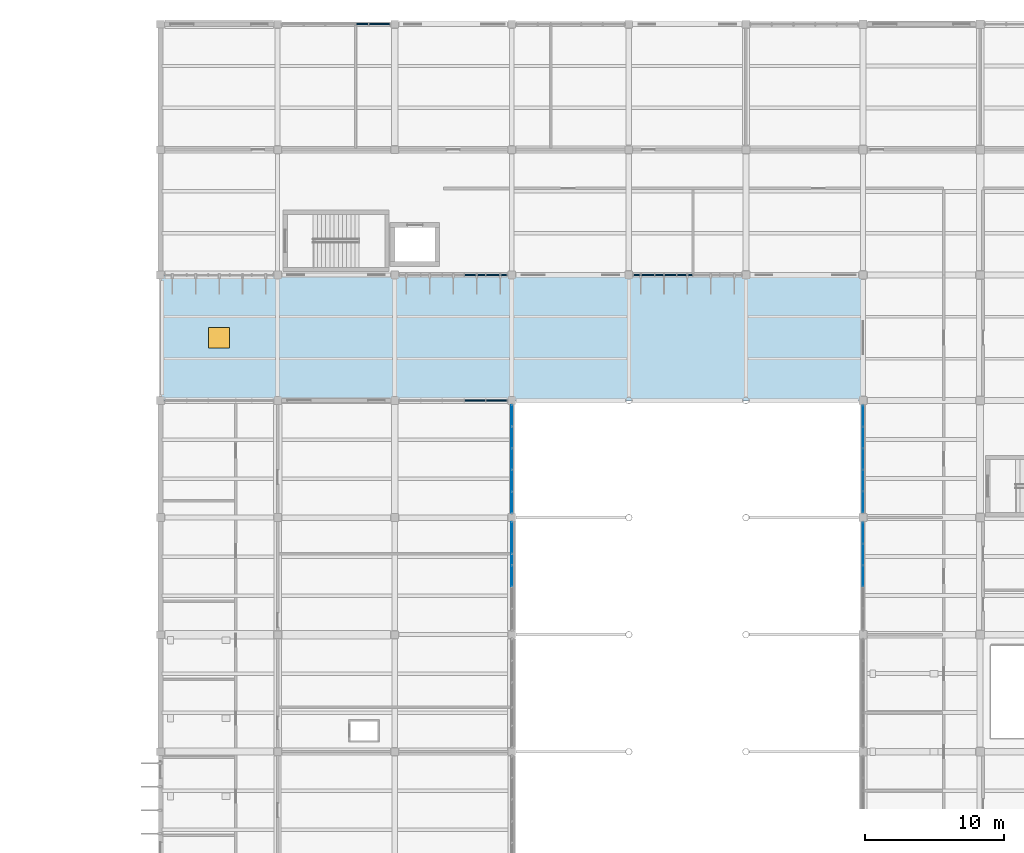
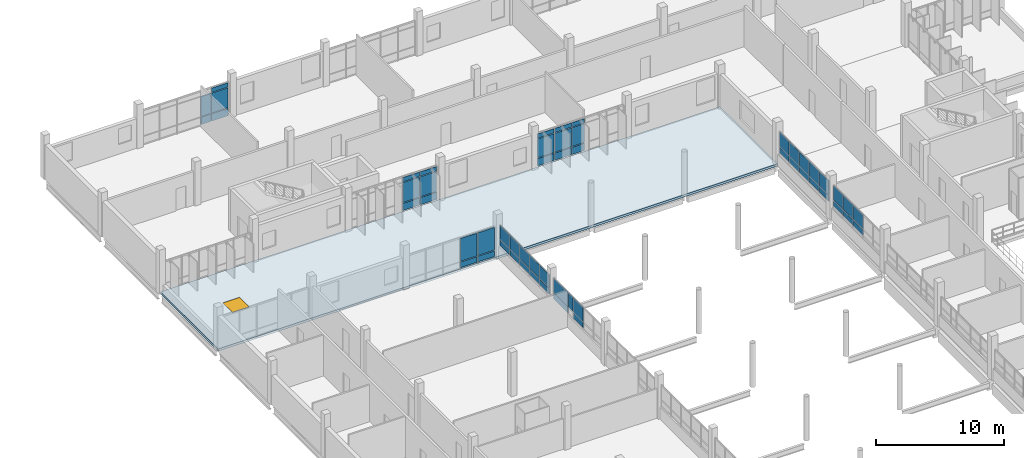
# One storey, part 100 of 130: 55 plates, 1 slab, 1 window, 1 opening, 8 elements without a shape of their own.
"""IFC4 building model written with IfcOpenShell, lengths in metres."""

from ifc_helpers import new_model, si_unit, direction, frame, origin, origin_2d, place, context, subcontext, project, spatial, polyline, rectangle, outline, extrude, material, layer, layer_set, type_object, element, fill, aggregate, save


model = new_model("IFC4")

# Units and contexts
model_context = context("Model", 3, precision=1e-05, world=origin(), true_north=direction((0.0, 1.0)))
body_context = subcontext(model_context, "Body", "Model", "MODEL_VIEW")
ifc_project = project(units=[si_unit("LENGTHUNIT", "METRE"), si_unit("AREAUNIT", "SQUARE_METRE"), si_unit("VOLUMEUNIT", "CUBIC_METRE"), si_unit("PLANEANGLEUNIT", "RADIAN"), si_unit("MASSUNIT", "GRAM", prefix="KILO")], contexts=[model_context])

# Site, building, storey
site_placement = place(None, origin())
site = spatial("IfcSite", under=ifc_project, at=site_placement, CompositionType="ELEMENT")
building_placement = place(site_placement, origin())
building = spatial("IfcBuilding", under=site, at=building_placement, Name="Vireocrest Preparatory School", CompositionType="ELEMENT")
storey_placement = place(building_placement, frame((0.0, 0.0, 9.0)))
storey = spatial("IfcBuildingStorey", under=building, at=storey_placement, Name="L02", CompositionType="ELEMENT", Elevation=9.0)

# Curtain wall, plates
ifc_material_1 = material(Name="Thermally broken aluminium EN AW-6063-T6", Category="aluminium")
ifc_layer_1 = layer(ifc_material_1, 0.179931640625)
ifc_layer_set_1 = layer_set([ifc_layer_1], Name="Thermally broken aluminium EN AW-6063-T6")
curtain_wall_type_1 = type_object("IfcCurtainWallType", Name="North Street Curtain Wall 8400x4000", PredefinedType="USERDEFINED", material=ifc_layer_set_1)
curtain_wall_1_placement = place(storey_placement, origin())
curtain_wall_1 = element("IfcCurtainWall", 1, at=curtain_wall_1_placement, inside=storey, type_object=curtain_wall_type_1, Name="Curtain Wall CW05 CW_L02_CW05_0506_1128_090", ObjectType="CURTAIN WALL", PredefinedType="USERDEFINED")
ifc_material_2 = material(Name="Insulated triple low-e tempered safety glass", Category="glass")
ifc_layer_2 = layer(ifc_material_2, 0.074951171875)
ifc_layer_set_2 = layer_set([ifc_layer_2], Name="Insulated triple low-e tempered safety glass")
plate_type_1 = type_object("IfcPlateType", Name="Acoustic Triple-Glazed Lab Curtain Panel 75", PredefinedType="CURTAIN_PANEL", material=ifc_layer_set_2)
plate_1_placement = place(storey_placement, frame((56.467041015625, 112.800048828125, 0.882568359375), z_axis=(0.0, 0.0, 1.0), x_axis=(1.0, 0.0, 0.0)))
plate_1 = element("IfcPlate", 2, at=plate_1_placement, type_object=plate_type_1, Name="CW Panel GL2 CW_L02_CW05_0506_1128_090-4-2", PredefinedType="CURTAIN_PANEL", context=body_context, shape_type="SweptSolid", body=[
    extrude(rectangle(XDim=0.868896484375, YDim=0.074951171875, at=origin_2d()), origin(), (0.0, 0.0, 1.0), 1.89501953125),
])
plate_2_placement = place(storey_placement, frame((57.7119140625, 112.800048828125, 0.882568359375), z_axis=(0.0, 0.0, 1.0), x_axis=(1.0, 0.0, 0.0)))
plate_2 = element("IfcPlate", 3, at=plate_2_placement, type_object=plate_type_1, Name="CW Panel GL2 CW_L02_CW05_0506_1128_090-5-2", PredefinedType="CURTAIN_PANEL", context=body_context, shape_type="SweptSolid", body=[
    extrude(rectangle(XDim=1.490966796875, YDim=0.074951171875, at=origin_2d()), origin(), (0.0, 0.0, 1.0), 1.89501953125),
])
plate_3_placement = place(storey_placement, frame((57.7119140625, 112.800048828125, 2.8427734375), z_axis=(0.0, 0.0, 1.0), x_axis=(1.0, 0.0, 0.0)))
plate_3 = element("IfcPlate", 4, at=plate_3_placement, type_object=plate_type_1, Name="CW Panel GL2 CW_L02_CW05_0506_1128_090-5-3", PredefinedType="CURTAIN_PANEL", context=body_context, shape_type="SweptSolid", body=[
    extrude(rectangle(XDim=1.490966796875, YDim=0.074951171875, at=origin_2d()), origin(), (0.0, 0.0, 1.0), 0.409912109375),
])

curtain_wall_2_placement = place(storey_placement, origin())
curtain_wall_2 = element("IfcCurtainWall", 5, at=curtain_wall_2_placement, inside=storey, type_object=curtain_wall_type_1, Name="Curtain Wall CW05 CW_L02_CW05_0590_0948_090", ObjectType="CURTAIN WALL", PredefinedType="USERDEFINED")
plate_4_placement = place(storey_placement, frame((64.555908203125, 94.800048828125, 0.882568359375), z_axis=(0.0, 0.0, 1.0), x_axis=(1.0, 0.0, 0.0)))
plate_4 = element("IfcPlate", 6, at=plate_4_placement, type_object=plate_type_1, Name="CW Panel GL2 CW_L02_CW05_0590_0948_090-4-2", PredefinedType="CURTAIN_PANEL", context=body_context, shape_type="SweptSolid", body=[
    extrude(rectangle(XDim=1.490966796875, YDim=0.074951171875, at=origin_2d()), origin(), (0.0, 0.0, 1.0), 1.89501953125),
])
plate_5_placement = place(storey_placement, frame((64.555908203125, 94.800048828125, 2.8427734375), z_axis=(0.0, 0.0, 1.0), x_axis=(1.0, 0.0, 0.0)))
plate_5 = element("IfcPlate", 7, at=plate_5_placement, type_object=plate_type_1, Name="CW Panel GL2 CW_L02_CW05_0590_0948_090-4-3", PredefinedType="CURTAIN_PANEL", context=body_context, shape_type="SweptSolid", body=[
    extrude(rectangle(XDim=1.490966796875, YDim=0.074951171875, at=origin_2d()), origin(), (0.0, 0.0, 1.0), 0.409912109375),
])
plate_6_placement = place(storey_placement, frame((66.112060546875, 94.800048828125, 0.882568359375), z_axis=(0.0, 0.0, 1.0), x_axis=(1.0, 0.0, 0.0)))
plate_6 = element("IfcPlate", 8, at=plate_6_placement, type_object=plate_type_1, Name="CW Panel GL2 CW_L02_CW05_0590_0948_090-5-2", PredefinedType="CURTAIN_PANEL", context=body_context, shape_type="SweptSolid", body=[
    extrude(rectangle(XDim=1.490966796875, YDim=0.074951171875, at=origin_2d()), origin(), (0.0, 0.0, 1.0), 1.89501953125),
])
plate_7_placement = place(storey_placement, frame((66.112060546875, 94.800048828125, 2.8427734375), z_axis=(0.0, 0.0, 1.0), x_axis=(1.0, 0.0, 0.0)))
plate_7 = element("IfcPlate", 9, at=plate_7_placement, type_object=plate_type_1, Name="CW Panel GL2 CW_L02_CW05_0590_0948_090-5-3", PredefinedType="CURTAIN_PANEL", context=body_context, shape_type="SweptSolid", body=[
    extrude(rectangle(XDim=1.490966796875, YDim=0.074951171875, at=origin_2d()), origin(), (0.0, 0.0, 1.0), 0.409912109375),
])

ifc_layer_3 = layer(ifc_material_1, 0.179931640625)
ifc_layer_set_3 = layer_set([ifc_layer_3], Name="Thermally broken aluminium EN AW-6063-T6")
curtain_wall_type_2 = type_object("IfcCurtainWallType", Name="Side Facade Curtain Wall 9000x4200", PredefinedType="USERDEFINED", material=ifc_layer_set_3)
curtain_wall_3_placement = place(storey_placement, origin())
curtain_wall_3 = element("IfcCurtainWall", 10, at=curtain_wall_3_placement, inside=storey, type_object=curtain_wall_type_2, Name="Curtain Wall CW07 CW_L02_CW07_0758_0948_090", ObjectType="CURTAIN WALL", PredefinedType="USERDEFINED")
plate_8_placement = place(storey_placement, frame((76.68798828125, 94.800048828125, 0.882568359375), z_axis=(0.0, 0.0, 1.0), x_axis=(1.0, 0.0, 0.0)))
plate_8 = element("IfcPlate", 11, at=plate_8_placement, type_object=plate_type_1, Name="CW Panel GL2 CW_L02_CW07_0758_0948_090-1-2", PredefinedType="CURTAIN_PANEL", context=body_context, shape_type="SweptSolid", body=[
    extrude(rectangle(XDim=1.490966796875, YDim=0.074951171875, at=origin_2d()), origin(), (0.0, 0.0, 1.0), 1.794921875),
])
plate_9_placement = place(storey_placement, frame((76.68798828125, 94.800048828125, 2.74267578125), z_axis=(0.0, 0.0, 1.0), x_axis=(1.0, 0.0, 0.0)))
plate_9 = element("IfcPlate", 12, at=plate_9_placement, type_object=plate_type_1, Name="CW Panel GL2 CW_L02_CW07_0758_0948_090-1-3", PredefinedType="CURTAIN_PANEL", context=body_context, shape_type="SweptSolid", body=[
    extrude(rectangle(XDim=1.490966796875, YDim=0.074951171875, at=origin_2d()), origin(), (0.0, 0.0, 1.0), 0.409912109375),
])
plate_10_placement = place(storey_placement, frame((78.243896484375, 94.800048828125, 0.882568359375), z_axis=(0.0, 0.0, 1.0), x_axis=(1.0, 0.0, 0.0)))
plate_10 = element("IfcPlate", 13, at=plate_10_placement, type_object=plate_type_1, Name="CW Panel GL2 CW_L02_CW07_0758_0948_090-2-2", PredefinedType="CURTAIN_PANEL", context=body_context, shape_type="SweptSolid", body=[
    extrude(rectangle(XDim=1.490966796875, YDim=0.074951171875, at=origin_2d()), origin(), (0.0, 0.0, 1.0), 1.794921875),
])
plate_11_placement = place(storey_placement, frame((78.243896484375, 94.800048828125, 2.74267578125), z_axis=(0.0, 0.0, 1.0), x_axis=(1.0, 0.0, 0.0)))
plate_11 = element("IfcPlate", 14, at=plate_11_placement, type_object=plate_type_1, Name="CW Panel GL2 CW_L02_CW07_0758_0948_090-2-3", PredefinedType="CURTAIN_PANEL", context=body_context, shape_type="SweptSolid", body=[
    extrude(rectangle(XDim=1.490966796875, YDim=0.074951171875, at=origin_2d()), origin(), (0.0, 0.0, 1.0), 0.409912109375),
])
plate_12_placement = place(storey_placement, frame((79.611083984375, 94.800048828125, 0.882568359375), z_axis=(0.0, 0.0, 1.0), x_axis=(1.0, 0.0, 0.0)))
plate_12 = element("IfcPlate", 15, at=plate_12_placement, type_object=plate_type_1, Name="CW Panel GL2 CW_L02_CW07_0758_0948_090-3-2", PredefinedType="CURTAIN_PANEL", context=body_context, shape_type="SweptSolid", body=[
    extrude(rectangle(XDim=1.113037109375, YDim=0.074951171875, at=origin_2d()), origin(), (0.0, 0.0, 1.0), 1.794921875),
])
plate_13_placement = place(storey_placement, frame((79.611083984375, 94.800048828125, 2.74267578125), z_axis=(0.0, 0.0, 1.0), x_axis=(1.0, 0.0, 0.0)))
plate_13 = element("IfcPlate", 16, at=plate_13_placement, type_object=plate_type_1, Name="CW Panel GL2 CW_L02_CW07_0758_0948_090-3-3", PredefinedType="CURTAIN_PANEL", context=body_context, shape_type="SweptSolid", body=[
    extrude(rectangle(XDim=1.113037109375, YDim=0.074951171875, at=origin_2d()), origin(), (0.0, 0.0, 1.0), 0.409912109375),
])

curtain_wall_4_placement = place(storey_placement, origin())
curtain_wall_4 = element("IfcCurtainWall", 17, at=curtain_wall_4_placement, inside=storey, type_object=curtain_wall_type_2, Name="Curtain Wall CW07 CW_L02_CW07_0590_0858_090", ObjectType="CURTAIN WALL", PredefinedType="USERDEFINED")
plate_14_placement = place(storey_placement, frame((64.555908203125, 85.800048828125, 0.12744140625), z_axis=(0.0, 0.0, 1.0), x_axis=(1.0, 0.0, 0.0)))
plate_14 = element("IfcPlate", 18, at=plate_14_placement, type_object=plate_type_1, Name="CW Panel GL2 CW_L02_CW07_0590_0858_090-4-1", PredefinedType="CURTAIN_PANEL", context=body_context, shape_type="SweptSolid", body=[
    extrude(rectangle(XDim=1.490966796875, YDim=0.074951171875, at=origin_2d()), origin(), (0.0, 0.0, 1.0), 0.5400390625),
])
plate_15_placement = place(storey_placement, frame((64.555908203125, 85.800048828125, 0.732421875), z_axis=(0.0, 0.0, 1.0), x_axis=(1.0, 0.0, 0.0)))
plate_15 = element("IfcPlate", 19, at=plate_15_placement, type_object=plate_type_1, Name="CW Panel GL2 CW_L02_CW07_0590_0858_090-4-2", PredefinedType="CURTAIN_PANEL", context=body_context, shape_type="SweptSolid", body=[
    extrude(rectangle(XDim=1.490966796875, YDim=0.074951171875, at=origin_2d()), origin(), (0.0, 0.0, 1.0), 2.169921875),
])
plate_16_placement = place(storey_placement, frame((66.112060546875, 85.800048828125, 0.12744140625), z_axis=(0.0, 0.0, 1.0), x_axis=(1.0, 0.0, 0.0)))
plate_16 = element("IfcPlate", 20, at=plate_16_placement, type_object=plate_type_1, Name="CW Panel GL2 CW_L02_CW07_0590_0858_090-5-1", PredefinedType="CURTAIN_PANEL", context=body_context, shape_type="SweptSolid", body=[
    extrude(rectangle(XDim=1.490966796875, YDim=0.074951171875, at=origin_2d()), origin(), (0.0, 0.0, 1.0), 0.5400390625),
])
plate_17_placement = place(storey_placement, frame((66.112060546875, 85.800048828125, 0.732421875), z_axis=(0.0, 0.0, 1.0), x_axis=(1.0, 0.0, 0.0)))
plate_17 = element("IfcPlate", 21, at=plate_17_placement, type_object=plate_type_1, Name="CW Panel GL2 CW_L02_CW07_0590_0858_090-5-2", PredefinedType="CURTAIN_PANEL", context=body_context, shape_type="SweptSolid", body=[
    extrude(rectangle(XDim=1.490966796875, YDim=0.074951171875, at=origin_2d()), origin(), (0.0, 0.0, 1.0), 2.169921875),
])
aggregate(curtain_wall_4, [plate_14, plate_15, plate_16, plate_17])

# Slab, opening, window
ifc_material_3 = material(Name="Concrete 40 MPa", Category="concrete")
ifc_layer_4 = layer(ifc_material_3, 0.219970703125)
ifc_layer_set_4 = layer_set([ifc_layer_4], Name="Concrete 40 MPa")
slab_type = type_object("IfcSlabType", Name="Insulated Flat Concrete Roof Slab 220", PredefinedType="ROOF", material=ifc_layer_set_4)
slab_placement = place(storey_placement, frame((0.0, 0.0, -0.219970703125)))
slab = element("IfcSlab", 22, at=slab_placement, inside=storey, type_object=slab_type, Name="Slab L02_NORTH_CONCOURSE_ROOF", PredefinedType="ROOF", context=body_context, shape_type="SweptSolid", body=[
    extrude(outline(polyline([(42.0, 85.800048828125), (92.39990234375, 85.800048828125), (92.39990234375, 94.800048828125), (42.0, 94.800048828125), (42.0, 85.800048828125)])), origin(), (0.0, 0.0, 1.0), 0.219970703125),
])
opening_placement = place(slab_placement, frame((46.199951171875, 90.300048828125, -0.010009765625)))
opening = element("IfcOpeningElement", 23, at=opening_placement, cuts=slab, Name="Opening SK01", PredefinedType="OPENING", context=body_context, shape_type="SweptSolid", body=[
    extrude(rectangle(XDim=1.5, YDim=1.5, at=origin_2d()), origin(), (0.0, 0.0, 1.0), 0.239990234375),
])
ifc_material_4 = material(Name="Tempered solar-control skylight glass", Category="glass")
window_type = type_object("IfcWindowType", Name="Classroom Roof Skylight 1500x1500", PartitioningType="SINGLE_PANEL", PredefinedType="SKYLIGHT", material=ifc_material_4)
window_placement = place(opening_placement, frame((0.0, 0.0, 0.179931640625)))
window = element("IfcWindow", 24, at=window_placement, inside=storey, type_object=window_type, Name="Roof Skylight SK01-02", OverallHeight=1.5, OverallWidth=1.5, PartitioningType="SINGLE_PANEL", PredefinedType="SKYLIGHT", context=body_context, shape_type="SweptSolid", body=[
    extrude(rectangle(XDim=1.5, YDim=1.5, at=origin_2d()), origin(), (0.0, 0.0, 1.0), 0.050048828125),
])
fill(opening, window)

# Plate
ifc_material_5 = material(Name="Painted white aluminium cladding EN AW-6063-T6", Category="aluminium")
ifc_layer_5 = layer(ifc_material_5, 0.114990234375)
ifc_layer_set_5 = layer_set([ifc_layer_5], Name="Painted white aluminium cladding EN AW-6063-T6")
plate_type_2 = type_object("IfcPlateType", Name="Insulated White Spandrel Curtain Panel 115", PredefinedType="CURTAIN_PANEL", material=ifc_layer_set_5)
plate_18_placement = place(storey_placement, frame((56.467041015625, 112.800048828125, 0.12744140625), z_axis=(0.0, 0.0, 1.0), x_axis=(1.0, 0.0, 0.0)))
plate_18 = element("IfcPlate", 25, at=plate_18_placement, type_object=plate_type_2, Name="CW Panel SP2 CW_L02_CW05_0506_1128_090-4-1", PredefinedType="CURTAIN_PANEL", context=body_context, shape_type="SweptSolid", body=[
    extrude(rectangle(XDim=0.868896484375, YDim=0.114990234375, at=origin_2d()), origin(), (0.0, 0.0, 1.0), 0.68994140625),
])

plate_19_placement = place(storey_placement, frame((57.7119140625, 112.800048828125, 0.12744140625), z_axis=(0.0, 0.0, 1.0), x_axis=(1.0, 0.0, 0.0)))
plate_19 = element("IfcPlate", 26, at=plate_19_placement, type_object=plate_type_2, Name="CW Panel SP2 CW_L02_CW05_0506_1128_090-5-1", PredefinedType="CURTAIN_PANEL", context=body_context, shape_type="SweptSolid", body=[
    extrude(rectangle(XDim=1.490966796875, YDim=0.114990234375, at=origin_2d()), origin(), (0.0, 0.0, 1.0), 0.68994140625),
])

aggregate(curtain_wall_1, [plate_18, plate_1, plate_19, plate_2, plate_3])

plate_20_placement = place(storey_placement, frame((64.555908203125, 94.800048828125, 0.12744140625), z_axis=(0.0, 0.0, 1.0), x_axis=(1.0, 0.0, 0.0)))
plate_20 = element("IfcPlate", 27, at=plate_20_placement, type_object=plate_type_2, Name="CW Panel SP2 CW_L02_CW05_0590_0948_090-4-1", PredefinedType="CURTAIN_PANEL", context=body_context, shape_type="SweptSolid", body=[
    extrude(rectangle(XDim=1.490966796875, YDim=0.114990234375, at=origin_2d()), origin(), (0.0, 0.0, 1.0), 0.68994140625),
])

plate_21_placement = place(storey_placement, frame((66.112060546875, 94.800048828125, 0.12744140625), z_axis=(0.0, 0.0, 1.0), x_axis=(1.0, 0.0, 0.0)))
plate_21 = element("IfcPlate", 28, at=plate_21_placement, type_object=plate_type_2, Name="CW Panel SP2 CW_L02_CW05_0590_0948_090-5-1", PredefinedType="CURTAIN_PANEL", context=body_context, shape_type="SweptSolid", body=[
    extrude(rectangle(XDim=1.490966796875, YDim=0.114990234375, at=origin_2d()), origin(), (0.0, 0.0, 1.0), 0.68994140625),
])

aggregate(curtain_wall_2, [plate_20, plate_4, plate_5, plate_21, plate_6, plate_7])

plate_22_placement = place(storey_placement, frame((76.68798828125, 94.800048828125, 0.12744140625), z_axis=(0.0, 0.0, 1.0), x_axis=(1.0, 0.0, 0.0)))
plate_22 = element("IfcPlate", 29, at=plate_22_placement, type_object=plate_type_2, Name="CW Panel SP2 CW_L02_CW07_0758_0948_090-1-1", PredefinedType="CURTAIN_PANEL", context=body_context, shape_type="SweptSolid", body=[
    extrude(rectangle(XDim=1.490966796875, YDim=0.114990234375, at=origin_2d()), origin(), (0.0, 0.0, 1.0), 0.68994140625),
])

plate_23_placement = place(storey_placement, frame((78.243896484375, 94.800048828125, 0.12744140625), z_axis=(0.0, 0.0, 1.0), x_axis=(1.0, 0.0, 0.0)))
plate_23 = element("IfcPlate", 30, at=plate_23_placement, type_object=plate_type_2, Name="CW Panel SP2 CW_L02_CW07_0758_0948_090-2-1", PredefinedType="CURTAIN_PANEL", context=body_context, shape_type="SweptSolid", body=[
    extrude(rectangle(XDim=1.490966796875, YDim=0.114990234375, at=origin_2d()), origin(), (0.0, 0.0, 1.0), 0.68994140625),
])

plate_24_placement = place(storey_placement, frame((79.611083984375, 94.800048828125, 0.12744140625), z_axis=(0.0, 0.0, 1.0), x_axis=(1.0, 0.0, 0.0)))
plate_24 = element("IfcPlate", 31, at=plate_24_placement, type_object=plate_type_2, Name="CW Panel SP2 CW_L02_CW07_0758_0948_090-3-1", PredefinedType="CURTAIN_PANEL", context=body_context, shape_type="SweptSolid", body=[
    extrude(rectangle(XDim=1.113037109375, YDim=0.114990234375, at=origin_2d()), origin(), (0.0, 0.0, 1.0), 0.68994140625),
])

aggregate(curtain_wall_3, [plate_22, plate_8, plate_9, plate_23, plate_10, plate_11, plate_24, plate_12, plate_13])

# Curtain wall, plates
ifc_layer_6 = layer(ifc_material_1, 0.179931640625)
ifc_layer_set_6 = layer_set([ifc_layer_6], Name="Thermally broken aluminium EN AW-6063-T6")
curtain_wall_type_3 = type_object("IfcCurtainWallType", Name="Court Banded Curtain Wall 8400x3000", PredefinedType="USERDEFINED", material=ifc_layer_set_6)
curtain_wall_5_placement = place(storey_placement, origin())
curtain_wall_5 = element("IfcCurtainWall", 32, at=curtain_wall_5_placement, inside=storey, type_object=curtain_wall_type_3, Name="Curtain Wall CW02 CW_L02_CW02_0924_0693_102", ObjectType="CURTAIN WALL", PredefinedType="USERDEFINED")
ifc_layer_7 = layer(ifc_material_2, 0.06005859375)
ifc_layer_set_7 = layer_set([ifc_layer_7], Name="Insulated triple low-e tempered safety glass")
plate_type_3 = type_object("IfcPlateType", Name="Triple-Glazed Vision Curtain Panel 60", PredefinedType="CURTAIN_PANEL", material=ifc_layer_set_7)
plate_25_placement = place(storey_placement, frame((92.39990234375, 73.199951171875, 1.277587890625), z_axis=(0.0, 0.0, 1.0), x_axis=(0.0, 1.0, 0.0)))
plate_25 = element("IfcPlate", 33, at=plate_25_placement, type_object=plate_type_3, Name="CW Panel GL1 CW_L02_CW02_0924_0693_102-3-1", PredefinedType="CURTAIN_PANEL", context=body_context, shape_type="SweptSolid", body=[
    extrude(rectangle(XDim=1.48095703125, YDim=0.06005859375, at=origin_2d()), origin(), (0.0, 0.0, 1.0), 0.5400390625),
])
plate_26_placement = place(storey_placement, frame((92.39990234375, 73.199951171875, 1.882568359375), z_axis=(0.0, 0.0, 1.0), x_axis=(0.0, 1.0, 0.0)))
plate_26 = element("IfcPlate", 34, at=plate_26_placement, type_object=plate_type_3, Name="CW Panel GL1 CW_L02_CW02_0924_0693_102-3-2", PredefinedType="CURTAIN_PANEL", context=body_context, shape_type="SweptSolid", body=[
    extrude(rectangle(XDim=1.48095703125, YDim=0.06005859375, at=origin_2d()), origin(), (0.0, 0.0, 1.0), 1.35009765625),
])
plate_27_placement = place(storey_placement, frame((92.39990234375, 74.74609375, 1.277587890625), z_axis=(0.0, 0.0, 1.0), x_axis=(0.0, 1.0, 0.0)))
plate_27 = element("IfcPlate", 35, at=plate_27_placement, type_object=plate_type_3, Name="CW Panel GL1 CW_L02_CW02_0924_0693_102-4-1", PredefinedType="CURTAIN_PANEL", context=body_context, shape_type="SweptSolid", body=[
    extrude(rectangle(XDim=1.48095703125, YDim=0.06005859375, at=origin_2d()), origin(), (0.0, 0.0, 1.0), 0.5400390625),
])
plate_28_placement = place(storey_placement, frame((92.39990234375, 74.74609375, 1.882568359375), z_axis=(0.0, 0.0, 1.0), x_axis=(0.0, 1.0, 0.0)))
plate_28 = element("IfcPlate", 36, at=plate_28_placement, type_object=plate_type_3, Name="CW Panel GL1 CW_L02_CW02_0924_0693_102-4-2", PredefinedType="CURTAIN_PANEL", context=body_context, shape_type="SweptSolid", body=[
    extrude(rectangle(XDim=1.48095703125, YDim=0.06005859375, at=origin_2d()), origin(), (0.0, 0.0, 1.0), 1.35009765625),
])
plate_29_placement = place(storey_placement, frame((92.39990234375, 76.2919921875, 1.277587890625), z_axis=(0.0, 0.0, 1.0), x_axis=(0.0, 1.0, 0.0)))
plate_29 = element("IfcPlate", 37, at=plate_29_placement, type_object=plate_type_3, Name="CW Panel GL1 CW_L02_CW02_0924_0693_102-5-1", PredefinedType="CURTAIN_PANEL", context=body_context, shape_type="SweptSolid", body=[
    extrude(rectangle(XDim=1.48095703125, YDim=0.06005859375, at=origin_2d()), origin(), (0.0, 0.0, 1.0), 0.5400390625),
])
plate_30_placement = place(storey_placement, frame((92.39990234375, 76.2919921875, 1.882568359375), z_axis=(0.0, 0.0, 1.0), x_axis=(0.0, 1.0, 0.0)))
plate_30 = element("IfcPlate", 38, at=plate_30_placement, type_object=plate_type_3, Name="CW Panel GL1 CW_L02_CW02_0924_0693_102-5-2", PredefinedType="CURTAIN_PANEL", context=body_context, shape_type="SweptSolid", body=[
    extrude(rectangle(XDim=1.48095703125, YDim=0.06005859375, at=origin_2d()), origin(), (0.0, 0.0, 1.0), 1.35009765625),
])
aggregate(curtain_wall_5, [plate_25, plate_26, plate_27, plate_28, plate_29, plate_30])

curtain_wall_6_placement = place(storey_placement, origin())
curtain_wall_6 = element("IfcCurtainWall", 39, at=curtain_wall_6_placement, inside=storey, type_object=curtain_wall_type_3, Name="Curtain Wall CW02 CW_L02_CW02_0924_0777_102", ObjectType="CURTAIN WALL", PredefinedType="USERDEFINED")
plate_31_placement = place(storey_placement, frame((92.39990234375, 78.508056640625, 1.277587890625), z_axis=(0.0, 0.0, 1.0), x_axis=(0.0, 1.0, 0.0)))
plate_31 = element("IfcPlate", 40, at=plate_31_placement, type_object=plate_type_3, Name="CW Panel GL1 CW_L02_CW02_0924_0777_102-1-1", PredefinedType="CURTAIN_PANEL", context=body_context, shape_type="SweptSolid", body=[
    extrude(rectangle(XDim=1.48095703125, YDim=0.06005859375, at=origin_2d()), origin(), (0.0, 0.0, 1.0), 0.5400390625),
])
plate_32_placement = place(storey_placement, frame((92.39990234375, 78.508056640625, 1.882568359375), z_axis=(0.0, 0.0, 1.0), x_axis=(0.0, 1.0, 0.0)))
plate_32 = element("IfcPlate", 41, at=plate_32_placement, type_object=plate_type_3, Name="CW Panel GL1 CW_L02_CW02_0924_0777_102-1-2", PredefinedType="CURTAIN_PANEL", context=body_context, shape_type="SweptSolid", body=[
    extrude(rectangle(XDim=1.48095703125, YDim=0.06005859375, at=origin_2d()), origin(), (0.0, 0.0, 1.0), 1.35009765625),
])
plate_33_placement = place(storey_placement, frame((92.39990234375, 80.053955078125, 1.277587890625), z_axis=(0.0, 0.0, 1.0), x_axis=(0.0, 1.0, 0.0)))
plate_33 = element("IfcPlate", 42, at=plate_33_placement, type_object=plate_type_3, Name="CW Panel GL1 CW_L02_CW02_0924_0777_102-2-1", PredefinedType="CURTAIN_PANEL", context=body_context, shape_type="SweptSolid", body=[
    extrude(rectangle(XDim=1.48095703125, YDim=0.06005859375, at=origin_2d()), origin(), (0.0, 0.0, 1.0), 0.5400390625),
])
plate_34_placement = place(storey_placement, frame((92.39990234375, 80.053955078125, 1.882568359375), z_axis=(0.0, 0.0, 1.0), x_axis=(0.0, 1.0, 0.0)))
plate_34 = element("IfcPlate", 43, at=plate_34_placement, type_object=plate_type_3, Name="CW Panel GL1 CW_L02_CW02_0924_0777_102-2-2", PredefinedType="CURTAIN_PANEL", context=body_context, shape_type="SweptSolid", body=[
    extrude(rectangle(XDim=1.48095703125, YDim=0.06005859375, at=origin_2d()), origin(), (0.0, 0.0, 1.0), 1.35009765625),
])
plate_35_placement = place(storey_placement, frame((92.39990234375, 81.60009765625, 1.277587890625), z_axis=(0.0, 0.0, 1.0), x_axis=(0.0, 1.0, 0.0)))
plate_35 = element("IfcPlate", 44, at=plate_35_placement, type_object=plate_type_3, Name="CW Panel GL1 CW_L02_CW02_0924_0777_102-3-1", PredefinedType="CURTAIN_PANEL", context=body_context, shape_type="SweptSolid", body=[
    extrude(rectangle(XDim=1.48095703125, YDim=0.06005859375, at=origin_2d()), origin(), (0.0, 0.0, 1.0), 0.5400390625),
])
plate_36_placement = place(storey_placement, frame((92.39990234375, 81.60009765625, 1.882568359375), z_axis=(0.0, 0.0, 1.0), x_axis=(0.0, 1.0, 0.0)))
plate_36 = element("IfcPlate", 45, at=plate_36_placement, type_object=plate_type_3, Name="CW Panel GL1 CW_L02_CW02_0924_0777_102-3-2", PredefinedType="CURTAIN_PANEL", context=body_context, shape_type="SweptSolid", body=[
    extrude(rectangle(XDim=1.48095703125, YDim=0.06005859375, at=origin_2d()), origin(), (0.0, 0.0, 1.0), 1.35009765625),
])
plate_37_placement = place(storey_placement, frame((92.39990234375, 83.14599609375, 1.277587890625), z_axis=(0.0, 0.0, 1.0), x_axis=(0.0, 1.0, 0.0)))
plate_37 = element("IfcPlate", 46, at=plate_37_placement, type_object=plate_type_3, Name="CW Panel GL1 CW_L02_CW02_0924_0777_102-4-1", PredefinedType="CURTAIN_PANEL", context=body_context, shape_type="SweptSolid", body=[
    extrude(rectangle(XDim=1.48095703125, YDim=0.06005859375, at=origin_2d()), origin(), (0.0, 0.0, 1.0), 0.5400390625),
])
plate_38_placement = place(storey_placement, frame((92.39990234375, 83.14599609375, 1.882568359375), z_axis=(0.0, 0.0, 1.0), x_axis=(0.0, 1.0, 0.0)))
plate_38 = element("IfcPlate", 47, at=plate_38_placement, type_object=plate_type_3, Name="CW Panel GL1 CW_L02_CW02_0924_0777_102-4-2", PredefinedType="CURTAIN_PANEL", context=body_context, shape_type="SweptSolid", body=[
    extrude(rectangle(XDim=1.48095703125, YDim=0.06005859375, at=origin_2d()), origin(), (0.0, 0.0, 1.0), 1.35009765625),
])
plate_39_placement = place(storey_placement, frame((92.39990234375, 84.69189453125, 1.277587890625), z_axis=(0.0, 0.0, 1.0), x_axis=(0.0, 1.0, 0.0)))
plate_39 = element("IfcPlate", 48, at=plate_39_placement, type_object=plate_type_3, Name="CW Panel GL1 CW_L02_CW02_0924_0777_102-5-1", PredefinedType="CURTAIN_PANEL", context=body_context, shape_type="SweptSolid", body=[
    extrude(rectangle(XDim=1.48095703125, YDim=0.06005859375, at=origin_2d()), origin(), (0.0, 0.0, 1.0), 0.5400390625),
])
plate_40_placement = place(storey_placement, frame((92.39990234375, 84.69189453125, 1.882568359375), z_axis=(0.0, 0.0, 1.0), x_axis=(0.0, 1.0, 0.0)))
plate_40 = element("IfcPlate", 49, at=plate_40_placement, type_object=plate_type_3, Name="CW Panel GL1 CW_L02_CW02_0924_0777_102-5-2", PredefinedType="CURTAIN_PANEL", context=body_context, shape_type="SweptSolid", body=[
    extrude(rectangle(XDim=1.48095703125, YDim=0.06005859375, at=origin_2d()), origin(), (0.0, 0.0, 1.0), 1.35009765625),
])
aggregate(curtain_wall_6, [plate_31, plate_32, plate_33, plate_34, plate_35, plate_36, plate_37, plate_38, plate_39, plate_40])

curtain_wall_7_placement = place(storey_placement, origin())
curtain_wall_7 = element("IfcCurtainWall", 50, at=curtain_wall_7_placement, inside=storey, type_object=curtain_wall_type_3, Name="Curtain Wall CW02 CW_L02_CW02_0672_0692_102", ObjectType="CURTAIN WALL", PredefinedType="USERDEFINED")
plate_41_placement = place(storey_placement, frame((67.199951171875, 73.199951171875, 1.277587890625), z_axis=(0.0, 0.0, 1.0), x_axis=(0.0, 1.0, 0.0)))
plate_41 = element("IfcPlate", 51, at=plate_41_placement, type_object=plate_type_3, Name="CW Panel GL1 CW_L02_CW02_0672_0692_102-3-1", PredefinedType="CURTAIN_PANEL", context=body_context, shape_type="SweptSolid", body=[
    extrude(rectangle(XDim=1.490966796875, YDim=0.06005859375, at=origin_2d()), origin(), (0.0, 0.0, 1.0), 0.5400390625),
])
plate_42_placement = place(storey_placement, frame((67.199951171875, 73.199951171875, 1.88232421875), z_axis=(0.0, 0.0, 1.0), x_axis=(0.0, 1.0, 0.0)))
plate_42 = element("IfcPlate", 52, at=plate_42_placement, type_object=plate_type_3, Name="CW Panel GL1 CW_L02_CW02_0672_0692_102-3-2", PredefinedType="CURTAIN_PANEL", context=body_context, shape_type="SweptSolid", body=[
    extrude(rectangle(XDim=1.490966796875, YDim=0.06005859375, at=origin_2d()), origin(), (0.0, 0.0, 1.0), 1.320068359375),
])
plate_43_placement = place(storey_placement, frame((67.199951171875, 74.388916015625, 1.88232421875), z_axis=(0.0, 0.0, 1.0), x_axis=(0.0, 1.0, 0.0)))
plate_43 = element("IfcPlate", 53, at=plate_43_placement, type_object=plate_type_3, Name="CW Panel GL1 CW_L02_CW02_0672_0692_102-4-2", PredefinedType="CURTAIN_PANEL", context=body_context, shape_type="SweptSolid", body=[
    extrude(rectangle(XDim=0.757080078125, YDim=0.06005859375, at=origin_2d()), origin(), (0.0, 0.0, 1.0), 1.320068359375),
])
plate_44_placement = place(storey_placement, frame((67.199951171875, 75.945068359375, 1.277587890625), z_axis=(0.0, 0.0, 1.0), x_axis=(0.0, 1.0, 0.0)))
plate_44 = element("IfcPlate", 54, at=plate_44_placement, type_object=plate_type_3, Name="CW Panel GL1 CW_L02_CW02_0672_0692_102-5-1", PredefinedType="CURTAIN_PANEL", context=body_context, shape_type="SweptSolid", body=[
    extrude(rectangle(XDim=2.22509765625, YDim=0.06005859375, at=origin_2d()), origin(), (0.0, 0.0, 1.0), 0.5400390625),
])
plate_45_placement = place(storey_placement, frame((67.199951171875, 75.945068359375, 1.88232421875), z_axis=(0.0, 0.0, 1.0), x_axis=(0.0, 1.0, 0.0)))
plate_45 = element("IfcPlate", 55, at=plate_45_placement, type_object=plate_type_3, Name="CW Panel GL1 CW_L02_CW02_0672_0692_102-5-2", PredefinedType="CURTAIN_PANEL", context=body_context, shape_type="SweptSolid", body=[
    extrude(rectangle(XDim=2.22509765625, YDim=0.06005859375, at=origin_2d()), origin(), (0.0, 0.0, 1.0), 1.320068359375),
])
aggregate(curtain_wall_7, [plate_41, plate_42, plate_43, plate_44, plate_45])

curtain_wall_8_placement = place(storey_placement, origin())
curtain_wall_8 = element("IfcCurtainWall", 56, at=curtain_wall_8_placement, inside=storey, type_object=curtain_wall_type_3, Name="Curtain Wall CW02 CW_L02_CW02_0672_0776_102", ObjectType="CURTAIN WALL", PredefinedType="USERDEFINED")
plate_46_placement = place(storey_placement, frame((67.199951171875, 78.488037109375, 1.277587890625), z_axis=(0.0, 0.0, 1.0), x_axis=(0.0, 1.0, 0.0)))
plate_46 = element("IfcPlate", 57, at=plate_46_placement, type_object=plate_type_3, Name="CW Panel GL1 CW_L02_CW02_0672_0776_102-1-1", PredefinedType="CURTAIN_PANEL", context=body_context, shape_type="SweptSolid", body=[
    extrude(rectangle(XDim=1.490966796875, YDim=0.06005859375, at=origin_2d()), origin(), (0.0, 0.0, 1.0), 0.5400390625),
])
plate_47_placement = place(storey_placement, frame((67.199951171875, 78.488037109375, 1.882568359375), z_axis=(0.0, 0.0, 1.0), x_axis=(0.0, 1.0, 0.0)))
plate_47 = element("IfcPlate", 58, at=plate_47_placement, type_object=plate_type_3, Name="CW Panel GL1 CW_L02_CW02_0672_0776_102-1-2", PredefinedType="CURTAIN_PANEL", context=body_context, shape_type="SweptSolid", body=[
    extrude(rectangle(XDim=1.490966796875, YDim=0.06005859375, at=origin_2d()), origin(), (0.0, 0.0, 1.0), 1.27001953125),
])
plate_48_placement = place(storey_placement, frame((67.199951171875, 80.0439453125, 1.277587890625), z_axis=(0.0, 0.0, 1.0), x_axis=(0.0, 1.0, 0.0)))
plate_48 = element("IfcPlate", 59, at=plate_48_placement, type_object=plate_type_3, Name="CW Panel GL1 CW_L02_CW02_0672_0776_102-2-1", PredefinedType="CURTAIN_PANEL", context=body_context, shape_type="SweptSolid", body=[
    extrude(rectangle(XDim=1.490966796875, YDim=0.06005859375, at=origin_2d()), origin(), (0.0, 0.0, 1.0), 0.5400390625),
])
plate_49_placement = place(storey_placement, frame((67.199951171875, 80.0439453125, 1.882568359375), z_axis=(0.0, 0.0, 1.0), x_axis=(0.0, 1.0, 0.0)))
plate_49 = element("IfcPlate", 60, at=plate_49_placement, type_object=plate_type_3, Name="CW Panel GL1 CW_L02_CW02_0672_0776_102-2-2", PredefinedType="CURTAIN_PANEL", context=body_context, shape_type="SweptSolid", body=[
    extrude(rectangle(XDim=1.490966796875, YDim=0.06005859375, at=origin_2d()), origin(), (0.0, 0.0, 1.0), 1.27001953125),
])
plate_50_placement = place(storey_placement, frame((67.199951171875, 81.60009765625, 1.277587890625), z_axis=(0.0, 0.0, 1.0), x_axis=(0.0, 1.0, 0.0)))
plate_50 = element("IfcPlate", 61, at=plate_50_placement, type_object=plate_type_3, Name="CW Panel GL1 CW_L02_CW02_0672_0776_102-3-1", PredefinedType="CURTAIN_PANEL", context=body_context, shape_type="SweptSolid", body=[
    extrude(rectangle(XDim=1.490966796875, YDim=0.06005859375, at=origin_2d()), origin(), (0.0, 0.0, 1.0), 0.5400390625),
])
plate_51_placement = place(storey_placement, frame((67.199951171875, 81.60009765625, 1.882568359375), z_axis=(0.0, 0.0, 1.0), x_axis=(0.0, 1.0, 0.0)))
plate_51 = element("IfcPlate", 62, at=plate_51_placement, type_object=plate_type_3, Name="CW Panel GL1 CW_L02_CW02_0672_0776_102-3-2", PredefinedType="CURTAIN_PANEL", context=body_context, shape_type="SweptSolid", body=[
    extrude(rectangle(XDim=1.490966796875, YDim=0.06005859375, at=origin_2d()), origin(), (0.0, 0.0, 1.0), 1.27001953125),
])
plate_52_placement = place(storey_placement, frame((67.199951171875, 83.156005859375, 1.277587890625), z_axis=(0.0, 0.0, 1.0), x_axis=(0.0, 1.0, 0.0)))
plate_52 = element("IfcPlate", 63, at=plate_52_placement, type_object=plate_type_3, Name="CW Panel GL1 CW_L02_CW02_0672_0776_102-4-1", PredefinedType="CURTAIN_PANEL", context=body_context, shape_type="SweptSolid", body=[
    extrude(rectangle(XDim=1.490966796875, YDim=0.06005859375, at=origin_2d()), origin(), (0.0, 0.0, 1.0), 0.5400390625),
])
plate_53_placement = place(storey_placement, frame((67.199951171875, 83.156005859375, 1.882568359375), z_axis=(0.0, 0.0, 1.0), x_axis=(0.0, 1.0, 0.0)))
plate_53 = element("IfcPlate", 64, at=plate_53_placement, type_object=plate_type_3, Name="CW Panel GL1 CW_L02_CW02_0672_0776_102-4-2", PredefinedType="CURTAIN_PANEL", context=body_context, shape_type="SweptSolid", body=[
    extrude(rectangle(XDim=1.490966796875, YDim=0.06005859375, at=origin_2d()), origin(), (0.0, 0.0, 1.0), 1.27001953125),
])
plate_54_placement = place(storey_placement, frame((67.199951171875, 84.7119140625, 1.277587890625), z_axis=(0.0, 0.0, 1.0), x_axis=(0.0, 1.0, 0.0)))
plate_54 = element("IfcPlate", 65, at=plate_54_placement, type_object=plate_type_3, Name="CW Panel GL1 CW_L02_CW02_0672_0776_102-5-1", PredefinedType="CURTAIN_PANEL", context=body_context, shape_type="SweptSolid", body=[
    extrude(rectangle(XDim=1.490966796875, YDim=0.06005859375, at=origin_2d()), origin(), (0.0, 0.0, 1.0), 0.5400390625),
])
plate_55_placement = place(storey_placement, frame((67.199951171875, 84.7119140625, 1.882568359375), z_axis=(0.0, 0.0, 1.0), x_axis=(0.0, 1.0, 0.0)))
plate_55 = element("IfcPlate", 66, at=plate_55_placement, type_object=plate_type_3, Name="CW Panel GL1 CW_L02_CW02_0672_0776_102-5-2", PredefinedType="CURTAIN_PANEL", context=body_context, shape_type="SweptSolid", body=[
    extrude(rectangle(XDim=1.490966796875, YDim=0.06005859375, at=origin_2d()), origin(), (0.0, 0.0, 1.0), 1.27001953125),
])
aggregate(curtain_wall_8, [plate_46, plate_47, plate_48, plate_49, plate_50, plate_51, plate_52, plate_53, plate_54, plate_55])

save(model, "model.ifc")
